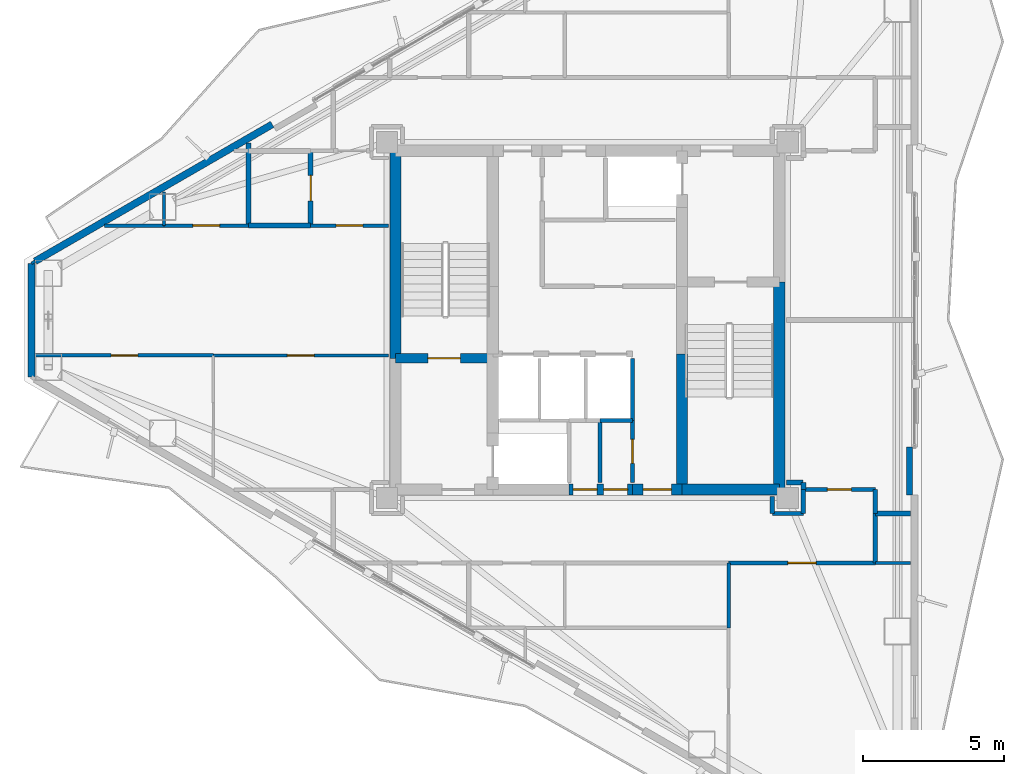
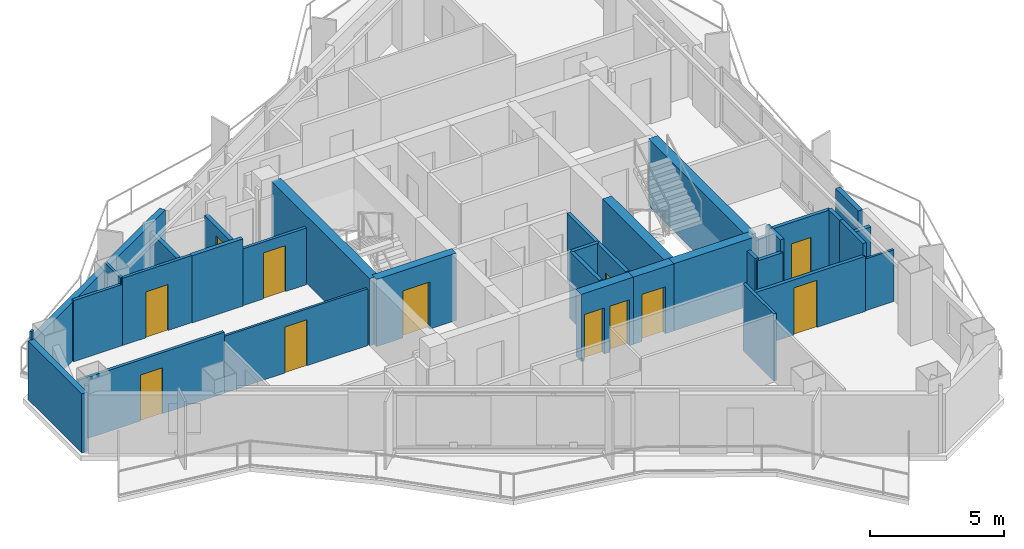
# One storey, part 17 of 22: 36 walls, 12 doors, 12 openings.
"""IFC4 building model written with IfcOpenShell, lengths in metres."""

from ifc_helpers import new_model, si_unit, direction, frame, frame_2d, origin, place, context, subcontext, project, spatial, rectangle, extrude, material, layer, layer_set, type_object, element, fill, save


model = new_model("IFC4")

# Units and contexts
model_context = context("Model", 3, precision=1e-05, world=origin(), true_north=direction((0.0, 1.0)))
body_context = subcontext(model_context, "Body", "Model", "MODEL_VIEW")
ifc_project = project(units=[si_unit("LENGTHUNIT", "METRE"), si_unit("AREAUNIT", "SQUARE_METRE"), si_unit("VOLUMEUNIT", "CUBIC_METRE"), si_unit("PLANEANGLEUNIT", "RADIAN"), si_unit("MASSUNIT", "GRAM", prefix="KILO")], contexts=[model_context])

# Site, building, storey
site_placement = place(None, origin())
site = spatial("IfcSite", under=ifc_project, at=site_placement, CompositionType="ELEMENT")
building_placement = place(site_placement, origin())
building = spatial("IfcBuilding", under=site, at=building_placement, Name="Mersakhor Tower and Convention Hall", CompositionType="ELEMENT")
storey_placement = place(building_placement, frame((0.0, 0.0, 192.0)))
storey = spatial("IfcBuildingStorey", under=building, at=storey_placement, Name="L53", CompositionType="ELEMENT", Elevation=192.0)

# Walls
ifc_material_1 = material(Name="Precast concrete C40/50", Category="concrete")
ifc_layer_1 = layer(ifc_material_1, 0.25)
ifc_layer_set_1 = layer_set([ifc_layer_1], Name="Precast concrete C40/50")
wall_type_1 = type_object("IfcWallType", Name="WL-EXT-250", PredefinedType="SOLIDWALL", material=ifc_layer_set_1)
wall_1_placement = place(storey_placement, frame((9.3076171875, 24.73828125, 0.0), z_axis=(0.0, 0.0, 1.0), x_axis=(0.0, 1.0, 0.0)))
element("IfcWall", 1, at=wall_1_placement, inside=storey, type_object=wall_type_1, Name="L53 Chamfer Braced Spandrel Wall C3", PredefinedType="SOLIDWALL", context=body_context, shape_type="SweptSolid", body=[
    extrude(rectangle(XDim=4.0234375, YDim=0.25, at=frame_2d((2.01171875, 0.0))), origin(), (0.0, 0.0, 1.0), 2.68994140625),
])
wall_2_placement = place(storey_placement, frame((9.4375, 28.836669921875, 0.0), z_axis=(0.0, 0.0, 1.0), x_axis=(0.866027133173, 0.499997004599, 0.0)))
element("IfcWall", 2, at=wall_2_placement, inside=storey, type_object=wall_type_1, Name="L53 Exterior Facade Wall F1-B1", PredefinedType="SOLIDWALL", context=body_context, shape_type="SweptSolid", body=[
    extrude(rectangle(XDim=9.69873046875, YDim=0.25, at=frame_2d((4.849365234375, 0.0))), origin(), (0.0, 0.0, 1.0), 2.68994140625),
])
ifc_material_2 = material(Name="Precast concrete C40/50", Category="concrete")
ifc_layer_2 = layer(ifc_material_2, 0.199951171875)
ifc_layer_set_2 = layer_set([ifc_layer_2], Name="Precast concrete C40/50")
wall_type_2 = type_object("IfcWallType", Name="WL-PAR-200", PredefinedType="PARAPET", material=ifc_layer_set_2)
wall_3_placement = place(storey_placement, frame((40.408447265625, 22.25048828125, 0.0), z_axis=(0.0, 0.0, 1.0), x_axis=(0.0, -1.0, 0.0)))
element("IfcWall", 3, at=wall_3_placement, inside=storey, type_object=wall_type_2, Name="L53 Column Pier Cladding Wall F2-C2", PredefinedType="PARAPET", context=body_context, shape_type="SweptSolid", body=[
    extrude(rectangle(XDim=1.699951171875, YDim=0.199951171875, at=frame_2d((0.85009765625, 0.0))), origin(), (0.0, 0.0, 1.0), 2.68994140625),
])

# Wall, opening, door
ifc_material_3 = material(Name="Moisture-resistant acoustic drywall studwork", Category="other")
ifc_layer_3 = layer(ifc_material_3, 0.175048828125)
ifc_layer_set_3 = layer_set([ifc_layer_3], Name="Moisture-resistant acoustic drywall studwork")
wall_type_3 = type_object("IfcWallType", Name="WL-PLM-175", PredefinedType="PLUMBINGWALL", material=ifc_layer_set_3)
wall_4_placement = place(storey_placement, frame((19.199951171875, 30.10009765625, 0.0), z_axis=(0.0, 0.0, 1.0), x_axis=(0.0, 1.0, 0.0)))
wall_4 = element("IfcWall", 4, at=wall_4_placement, inside=storey, type_object=wall_type_3, Name="L53 Interior Partition Wall P-050", PredefinedType="PLUMBINGWALL", context=body_context, shape_type="SweptSolid", body=[
    extrude(rectangle(XDim=2.64990234375, YDim=0.175048828125, at=frame_2d((1.324951171875, 0.0))), origin(), (0.0, 0.0, 1.0), 2.518310546875),
])
opening_1_placement = place(wall_4_placement, frame((0.875, 0.0, 0.0)))
opening_1 = element("IfcOpeningElement", 5, at=opening_1_placement, cuts=wall_4, Name="Opening WD-01", PredefinedType="OPENING", context=body_context, shape_type="SweptSolid", body=[
    extrude(rectangle(XDim=0.89990234375, YDim=2.10009765625, at=frame_2d((0.449951171875, 1.050048828125))), frame((0.0, 0.097412109375, 0.0), z_axis=(0.0, -1.0, 0.0), x_axis=(1.0, 0.0, 0.0)), (0.0, 0.0, 1.0), 0.195068359375),
])
ifc_material_4 = material(Name="Solid-core hardwood leaf in painted steel frame", Category="steel")
door_type_1 = type_object("IfcDoorType", Name="DR-INT-WET-090x210", OperationType="NOTDEFINED", PredefinedType="DOOR", material=ifc_material_4)
door_1_placement = place(opening_1_placement, origin())
door_1 = element("IfcDoor", 6, at=door_1_placement, inside=storey, type_object=door_type_1, Name="L53 L53 Flat W3 Apartment Hall to L53 Flat W3 Bathroom Door", OperationType="SINGLE_SWING_LEFT", OverallHeight=2.10009765625, OverallWidth=0.89990234375, PredefinedType="DOOR", context=body_context, shape_type="SweptSolid", body=[
    extrude(rectangle(XDim=0.89990234375, YDim=2.10009765625, at=frame_2d((0.449951171875, 1.050048828125))), frame((0.0, 0.02490234375, 0.0), z_axis=(0.0, -1.0, 0.0), x_axis=(1.0, 0.0, 0.0)), (0.0, 0.0, 1.0), 0.050048828125),
])
fill(opening_1, door_1)

# Walls
wall_5_placement = place(storey_placement, frame((36.64990234375, 20.75, 0.0), z_axis=(0.0, 0.0, 1.0), x_axis=(0.0, 1.0, 0.0)))
element("IfcWall", 7, at=wall_5_placement, inside=storey, type_object=wall_type_3, Name="L53 Interior Partition Wall P-057", PredefinedType="PLUMBINGWALL", context=body_context, shape_type="SweptSolid", body=[
    extrude(rectangle(XDim=0.25, YDim=0.175048828125, at=frame_2d((0.125, 0.0))), origin(), (0.0, 0.0, 1.0), 3.070068359375),
])
wall_6_placement = place(storey_placement, frame((36.635009765625, 21.0, 0.0), z_axis=(0.0, 0.0, 1.0), x_axis=(-1.0, 0.0, 0.0)))
element("IfcWall", 8, at=wall_6_placement, inside=storey, type_object=wall_type_3, Name="L53 Interior Partition Wall P-058", PredefinedType="PLUMBINGWALL", context=body_context, shape_type="SweptSolid", body=[
    extrude(rectangle(XDim=0.5849609375, YDim=0.175048828125, at=frame_2d((0.29248046875, 0.0))), origin(), (0.0, 0.0, 1.0), 2.594970703125),
])
wall_7_placement = place(storey_placement, frame((40.439453125, 19.89990234375, 0.0), z_axis=(0.0, 0.0, 1.0), x_axis=(-1.0, 0.0, 0.0)))
element("IfcWall", 9, at=wall_7_placement, inside=storey, type_object=wall_type_3, Name="L53 Interior Partition Wall P-059", PredefinedType="PLUMBINGWALL", context=body_context, shape_type="SweptSolid", body=[
    extrude(rectangle(XDim=1.239501953125, YDim=0.175048828125, at=frame_2d((0.61962890625, 0.0))), origin(), (0.0, 0.0, 1.0), 2.364990234375),
])
wall_8_placement = place(storey_placement, frame((19.199951171875, 30.10009765625, 0.0), z_axis=(0.0, 0.0, 1.0), x_axis=(-1.0, 0.0, 0.0)))
element("IfcWall", 10, at=wall_8_placement, inside=storey, type_object=wall_type_3, Name="L53 Interior Partition Wall P-061", PredefinedType="PLUMBINGWALL", context=body_context, shape_type="SweptSolid", body=[
    extrude(rectangle(XDim=2.199951171875, YDim=0.175048828125, at=frame_2d((1.10009765625, 0.0))), origin(), (0.0, 0.0, 1.0), 3.070068359375),
])
wall_9_placement = place(storey_placement, frame((17.0, 30.10009765625, 0.0), z_axis=(0.0, 0.0, 1.0), x_axis=(0.0, 1.0, 0.0)))
element("IfcWall", 11, at=wall_9_placement, inside=storey, type_object=wall_type_3, Name="L53 Interior Partition Wall P-062", PredefinedType="PLUMBINGWALL", context=body_context, shape_type="SweptSolid", body=[
    extrude(rectangle(XDim=2.930908203125, YDim=0.175048828125, at=frame_2d((1.46533203125, 0.0))), origin(), (0.0, 0.0, 1.0), 2.364990234375),
])
ifc_material_5 = material(Name="Lightweight gypsum partition", Category="other")
ifc_layer_4 = layer(ifc_material_5, 0.10009765625)
ifc_layer_set_4 = layer_set([ifc_layer_4], Name="Lightweight gypsum partition")
wall_type_4 = type_object("IfcWallType", Name="WL-PRT-100", PredefinedType="PARTITIONING", material=ifc_layer_set_4)
wall_10_placement = place(storey_placement, frame((14.0, 30.10009765625, 0.0), z_axis=(0.0, 0.0, 1.0), x_axis=(0.0, 1.0, 0.0)))
element("IfcWall", 12, at=wall_10_placement, inside=storey, type_object=wall_type_4, Name="L53 Interior Partition Wall P-064", PredefinedType="PARTITIONING", context=body_context, shape_type="SweptSolid", body=[
    extrude(rectangle(XDim=1.19873046875, YDim=0.10009765625, at=frame_2d((0.599365234375, 0.0))), origin(), (0.0, 0.0, 1.0), 3.070068359375),
])
wall_11_placement = place(storey_placement, frame((39.199951171875, 18.14990234375, 0.0), z_axis=(0.0, 0.0, 1.0), x_axis=(1.0, 0.0, 0.0)))
element("IfcWall", 13, at=wall_11_placement, inside=storey, type_object=wall_type_4, Name="L53 Interior Partition Wall P-074", PredefinedType="PARTITIONING", context=body_context, shape_type="SweptSolid", body=[
    extrude(rectangle(XDim=1.239501953125, YDim=0.10009765625, at=frame_2d((0.61962890625, 0.0))), origin(), (0.0, 0.0, 1.0), 2.364990234375),
])

# Wall, opening, door
wall_12_placement = place(storey_placement, frame((21.949951171875, 25.5, 0.0), z_axis=(0.0, 0.0, 1.0), x_axis=(-1.0, 0.0, 0.0)))
wall_12 = element("IfcWall", 14, at=wall_12_placement, inside=storey, type_object=wall_type_4, Name="L53 Interior Partition Wall P-090", PredefinedType="PARTITIONING", context=body_context, shape_type="SweptSolid", body=[
    extrude(rectangle(XDim=6.199951171875, YDim=0.10009765625, at=frame_2d((3.10009765625, 0.0))), origin(), (0.0, 0.0, 1.0), 2.594970703125),
])
opening_2_placement = place(wall_12_placement, frame((2.625, 0.0, 0.0)))
opening_2 = element("IfcOpeningElement", 15, at=opening_2_placement, cuts=wall_12, Name="Opening RD-01", PredefinedType="OPENING", context=body_context, shape_type="SweptSolid", body=[
    extrude(rectangle(XDim=0.949951171875, YDim=2.10009765625, at=frame_2d((0.47509765625, 1.050048828125))), frame((0.0, 0.06005859375, 0.0), z_axis=(0.0, -1.0, 0.0), x_axis=(1.0, 0.0, 0.0)), (0.0, 0.0, 1.0), 0.1201171875),
])
ifc_material_6 = material(Name="Solid-core hardwood leaf in painted steel frame", Category="steel")
door_type_2 = type_object("IfcDoorType", Name="DR-INT-RM-095x210", OperationType="NOTDEFINED", PredefinedType="DOOR", material=ifc_material_6)
door_2_placement = place(opening_2_placement, origin())
door_2 = element("IfcDoor", 16, at=door_2_placement, inside=storey, type_object=door_type_2, Name="L53 L53 Flat W3 Living and Dining Room to L53 Flat W3 Study Room Door", OperationType="SINGLE_SWING_LEFT", OverallHeight=2.10009765625, OverallWidth=0.949951171875, PredefinedType="DOOR", context=body_context, shape_type="SweptSolid", body=[
    extrude(rectangle(XDim=0.949951171875, YDim=2.10009765625, at=frame_2d((0.47509765625, 1.050048828125))), frame((0.0, 0.02490234375, 0.0), z_axis=(0.0, -1.0, 0.0), x_axis=(1.0, 0.0, 0.0)), (0.0, 0.0, 1.0), 0.050048828125),
])
fill(opening_2, door_2)

# Wall
wall_13_placement = place(storey_placement, frame((9.306884765625, 28.761962890625, 0.0), z_axis=(0.0, 0.0, 1.0), x_axis=(0.866239593359, 0.499628829129, 0.0)))
element("IfcWall", 17, at=wall_13_placement, inside=storey, type_object=wall_type_4, Name="L53 Interior Partition Wall P-092", PredefinedType="PARTITIONING", context=body_context, shape_type="SweptSolid", body=[
    extrude(rectangle(XDim=0.150390625, YDim=0.10009765625, at=frame_2d((0.0751953125, 0.0))), origin(), (0.0, 0.0, 1.0), 3.070068359375),
])

# Wall, opening, door
ifc_material_7 = material(Name="Gypsum board acoustic partition", Category="other")
ifc_layer_5 = layer(ifc_material_7, 0.125)
ifc_layer_set_5 = layer_set([ifc_layer_5], Name="Gypsum board acoustic partition")
wall_type_5 = type_object("IfcWallType", Name="WL-PRT-125", PredefinedType="PARTITIONING", material=ifc_layer_set_5)
wall_14_placement = place(storey_placement, frame((21.949951171875, 30.10009765625, 0.0), z_axis=(0.0, 0.0, 1.0), x_axis=(-1.0, 0.0, 0.0)))
wall_14 = element("IfcWall", 18, at=wall_14_placement, inside=storey, type_object=wall_type_5, Name="L53 Interior Partition Wall P-049", PredefinedType="PARTITIONING", context=body_context, shape_type="SweptSolid", body=[
    extrude(rectangle(XDim=2.75, YDim=0.125, at=frame_2d((1.375, 0.0))), origin(), (0.0, 0.0, 1.0), 2.594970703125),
])
opening_3_placement = place(wall_14_placement, frame((0.89990234375, 0.0, 0.0)))
opening_3 = element("IfcOpeningElement", 19, at=opening_3_placement, cuts=wall_14, Name="Opening RD-01", PredefinedType="OPENING", context=body_context, shape_type="SweptSolid", body=[
    extrude(rectangle(XDim=0.949951171875, YDim=2.10009765625, at=frame_2d((0.47509765625, 1.050048828125))), frame((0.0, 0.072509765625, 0.0), z_axis=(0.0, -1.0, 0.0), x_axis=(1.0, 0.0, 0.0)), (0.0, 0.0, 1.0), 0.14501953125),
])
door_3_placement = place(opening_3_placement, origin())
door_3 = element("IfcDoor", 20, at=door_3_placement, inside=storey, type_object=door_type_2, Name="L53 L53 Flat W3 Apartment Hall to L53 Flat W3 Living and Dining Room Door", OperationType="SINGLE_SWING_RIGHT", OverallHeight=2.10009765625, OverallWidth=0.949951171875, PredefinedType="DOOR", context=body_context, shape_type="SweptSolid", body=[
    extrude(rectangle(XDim=0.949951171875, YDim=2.10009765625, at=frame_2d((0.47509765625, 1.050048828125))), frame((0.0, 0.02490234375, 0.0), z_axis=(0.0, -1.0, 0.0), x_axis=(1.0, 0.0, 0.0)), (0.0, 0.0, 1.0), 0.050048828125),
])
fill(opening_3, door_3)

wall_15_placement = place(storey_placement, frame((17.0, 30.10009765625, 0.0), z_axis=(0.0, 0.0, 1.0), x_axis=(-1.0, 0.0, 0.0)))
wall_15 = element("IfcWall", 21, at=wall_15_placement, inside=storey, type_object=wall_type_5, Name="L53 Interior Partition Wall P-063", PredefinedType="PARTITIONING", context=body_context, shape_type="SweptSolid", body=[
    extrude(rectangle(XDim=3.0, YDim=0.125, at=frame_2d((1.5, 0.0))), origin(), (0.0, 0.0, 1.0), 3.070068359375),
])
opening_4_placement = place(wall_15_placement, frame((1.02490234375, 0.0, 0.0)))
opening_4 = element("IfcOpeningElement", 22, at=opening_4_placement, cuts=wall_15, Name="Opening RD-01", PredefinedType="OPENING", context=body_context, shape_type="SweptSolid", body=[
    extrude(rectangle(XDim=0.949951171875, YDim=2.10009765625, at=frame_2d((0.47509765625, 1.050048828125))), frame((0.0, 0.072509765625, 0.0), z_axis=(0.0, -1.0, 0.0), x_axis=(1.0, 0.0, 0.0)), (0.0, 0.0, 1.0), 0.14501953125),
])
door_4_placement = place(opening_4_placement, origin())
door_4 = element("IfcDoor", 23, at=door_4_placement, inside=storey, type_object=door_type_2, Name="L53 L53 Flat W3 Kitchen to L53 Flat W3 Living and Dining Room Door", OperationType="SINGLE_SWING_LEFT", OverallHeight=2.10009765625, OverallWidth=0.949951171875, PredefinedType="DOOR", context=body_context, shape_type="SweptSolid", body=[
    extrude(rectangle(XDim=0.949951171875, YDim=2.10009765625, at=frame_2d((0.47509765625, 1.050048828125))), frame((0.0, 0.02490234375, 0.0), z_axis=(0.0, -1.0, 0.0), x_axis=(1.0, 0.0, 0.0)), (0.0, 0.0, 1.0), 0.050048828125),
])
fill(opening_4, door_4)

# Walls
wall_16_placement = place(storey_placement, frame((34.0, 15.85009765625, 0.0), z_axis=(0.0, 0.0, 1.0), x_axis=(0.0, 1.0, 0.0)))
element("IfcWall", 24, at=wall_16_placement, inside=storey, type_object=wall_type_5, Name="L53 Interior Partition Wall P-073", PredefinedType="PARTITIONING", context=body_context, shape_type="SweptSolid", body=[
    extrude(rectangle(XDim=2.2998046875, YDim=0.125, at=frame_2d((1.14990234375, 0.0))), origin(), (0.0, 0.0, 1.0), 3.070068359375),
])
wall_17_placement = place(storey_placement, frame((11.896484375, 30.10009765625, 0.0), z_axis=(0.0, 0.0, 1.0), x_axis=(1.0, 0.0, 0.0)))
element("IfcWall", 25, at=wall_17_placement, inside=storey, type_object=wall_type_5, Name="L53 Interior Partition Wall P-089", PredefinedType="PARTITIONING", context=body_context, shape_type="SweptSolid", body=[
    extrude(rectangle(XDim=2.103515625, YDim=0.125, at=frame_2d((1.0517578125, 0.0))), origin(), (0.0, 0.0, 1.0), 2.794677734375),
])

# Wall, opening, door
wall_18_placement = place(storey_placement, frame((15.75, 25.5, 0.0), z_axis=(0.0, 0.0, 1.0), x_axis=(-1.0, 0.0, 0.0)))
wall_18 = element("IfcWall", 26, at=wall_18_placement, inside=storey, type_object=wall_type_5, Name="L53 Interior Partition Wall P-091", PredefinedType="PARTITIONING", context=body_context, shape_type="SweptSolid", body=[
    extrude(rectangle(XDim=6.29345703125, YDim=0.125, at=frame_2d((3.146728515625, 0.0))), origin(), (0.0, 0.0, 1.0), 2.794677734375),
])
opening_5_placement = place(wall_18_placement, frame((2.671630859375, 0.0, 0.0)))
opening_5 = element("IfcOpeningElement", 27, at=opening_5_placement, cuts=wall_18, Name="Opening RD-01", PredefinedType="OPENING", context=body_context, shape_type="SweptSolid", body=[
    extrude(rectangle(XDim=0.949951171875, YDim=2.10009765625, at=frame_2d((0.47509765625, 1.050048828125))), frame((0.0, 0.072509765625, 0.0), z_axis=(0.0, -1.0, 0.0), x_axis=(1.0, 0.0, 0.0)), (0.0, 0.0, 1.0), 0.14501953125),
])
door_5_placement = place(opening_5_placement, origin())
door_5 = element("IfcDoor", 28, at=door_5_placement, inside=storey, type_object=door_type_2, Name="L53 L53 Flat W3 Living and Dining Room to L53 Flat W3 Bedroom 1 Door", OperationType="SINGLE_SWING_RIGHT", OverallHeight=2.10009765625, OverallWidth=0.949951171875, PredefinedType="DOOR", context=body_context, shape_type="SweptSolid", body=[
    extrude(rectangle(XDim=0.949951171875, YDim=2.10009765625, at=frame_2d((0.47509765625, 1.050048828125))), frame((0.0, 0.02490234375, 0.0), z_axis=(0.0, -1.0, 0.0), x_axis=(1.0, 0.0, 0.0)), (0.0, 0.0, 1.0), 0.050048828125),
])
fill(opening_5, door_5)

# Walls
ifc_material_8 = material(Name="Fire-rated gypsum board stud partition", Category="other")
ifc_layer_6 = layer(ifc_material_8, 0.14990234375)
ifc_layer_set_6 = layer_set([ifc_layer_6], Name="Fire-rated gypsum board stud partition")
wall_type_6 = type_object("IfcWallType", Name="WL-PRT-150", PredefinedType="PARTITIONING", material=ifc_layer_set_6)
wall_19_placement = place(storey_placement, frame((30.60009765625, 25.39990234375, 0.0), z_axis=(0.0, 0.0, 1.0), x_axis=(0.0, -1.0, 0.0)))
element("IfcWall", 29, at=wall_19_placement, inside=storey, type_object=wall_type_6, Name="L53 Interior Partition Wall P-009", PredefinedType="PARTITIONING", context=body_context, shape_type="SweptSolid", body=[
    extrude(rectangle(XDim=2.199951171875, YDim=0.14990234375, at=frame_2d((1.10009765625, 0.0))), origin(), (0.0, 0.0, 1.0), 3.070068359375),
])
wall_20_placement = place(storey_placement, frame((30.60009765625, 23.199951171875, 0.0), z_axis=(0.0, 0.0, 1.0), x_axis=(-1.0, 0.0, 0.0)))
element("IfcWall", 30, at=wall_20_placement, inside=storey, type_object=wall_type_6, Name="L53 Interior Partition Wall P-010", PredefinedType="PARTITIONING", context=body_context, shape_type="SweptSolid", body=[
    extrude(rectangle(XDim=1.150146484375, YDim=0.14990234375, at=frame_2d((0.5751953125, 0.0))), origin(), (0.0, 0.0, 1.0), 3.070068359375),
])

# Wall, opening, door
wall_21_placement = place(storey_placement, frame((30.60009765625, 21.0, 0.0), z_axis=(0.0, 0.0, 1.0), x_axis=(0.0, 1.0, 0.0)))
wall_21 = element("IfcWall", 31, at=wall_21_placement, inside=storey, type_object=wall_type_6, Name="L53 Interior Partition Wall P-012", PredefinedType="PARTITIONING", context=body_context, shape_type="SweptSolid", body=[
    extrude(rectangle(XDim=2.199951171875, YDim=0.14990234375, at=frame_2d((1.10009765625, 0.0))), origin(), (0.0, 0.0, 1.0), 3.070068359375),
])
opening_6_placement = place(wall_21_placement, frame((0.675048828125, 0.0, 0.0)))
opening_6 = element("IfcOpeningElement", 32, at=opening_6_placement, cuts=wall_21, Name="Opening SVD-01", PredefinedType="OPENING", context=body_context, shape_type="SweptSolid", body=[
    extrude(rectangle(XDim=0.85009765625, YDim=2.10009765625, at=frame_2d((0.425048828125, 1.050048828125))), frame((0.0, 0.0849609375, 0.0), z_axis=(0.0, -1.0, 0.0), x_axis=(1.0, 0.0, 0.0)), (0.0, 0.0, 1.0), 0.169921875),
])
ifc_material_9 = material(Name="Fire-rated hardwood leaf and painted steel frame", Category="steel")
door_type_3 = type_object("IfcDoorType", Name="DR-INT-SVC-085x210", OperationType="NOTDEFINED", PredefinedType="DOOR", material=ifc_material_9)
door_6_placement = place(opening_6_placement, origin())
door_6 = element("IfcDoor", 33, at=door_6_placement, inside=storey, type_object=door_type_3, Name="L53 Central Passenger Lift Lobby to Core Maintenance Store Room Door", OperationType="SINGLE_SWING_RIGHT", OverallHeight=2.10009765625, OverallWidth=0.85009765625, PredefinedType="DOOR", context=body_context, shape_type="SweptSolid", body=[
    extrude(rectangle(XDim=0.85009765625, YDim=2.10009765625, at=frame_2d((0.425048828125, 1.050048828125))), frame((0.0, 0.02490234375, 0.0), z_axis=(0.0, -1.0, 0.0), x_axis=(1.0, 0.0, 0.0)), (0.0, 0.0, 1.0), 0.050048828125),
])
fill(opening_6, door_6)

# Walls
wall_22_placement = place(storey_placement, frame((35.550048828125, 20.5, 0.0), z_axis=(0.0, 0.0, 1.0), x_axis=(0.0, -1.0, 0.0)))
element("IfcWall", 34, at=wall_22_placement, inside=storey, type_object=wall_type_6, Name="L53 Interior Partition Wall P-036", PredefinedType="PARTITIONING", context=body_context, shape_type="SweptSolid", body=[
    extrude(rectangle(XDim=0.60009765625, YDim=0.14990234375, at=frame_2d((0.300048828125, 0.0))), origin(), (0.0, 0.0, 1.0), 2.594970703125),
])
wall_23_placement = place(storey_placement, frame((35.550048828125, 19.89990234375, 0.0), z_axis=(0.0, 0.0, 1.0), x_axis=(1.0, 0.0, 0.0)))
element("IfcWall", 35, at=wall_23_placement, inside=storey, type_object=wall_type_6, Name="L53 Interior Partition Wall P-037", PredefinedType="PARTITIONING", context=body_context, shape_type="SweptSolid", body=[
    extrude(rectangle(XDim=1.099853515625, YDim=0.14990234375, at=frame_2d((0.5498046875, 0.0))), origin(), (0.0, 0.0, 1.0), 2.518310546875),
])
wall_24_placement = place(storey_placement, frame((36.64990234375, 19.89990234375, 0.0), z_axis=(0.0, 0.0, 1.0), x_axis=(0.0, 1.0, 0.0)))
element("IfcWall", 36, at=wall_24_placement, inside=storey, type_object=wall_type_6, Name="L53 Interior Partition Wall P-038", PredefinedType="PARTITIONING", context=body_context, shape_type="SweptSolid", body=[
    extrude(rectangle(XDim=0.85009765625, YDim=0.14990234375, at=frame_2d((0.425048828125, 0.0))), origin(), (0.0, 0.0, 1.0), 3.070068359375),
])

# Wall, opening, door
wall_25_placement = place(storey_placement, frame((36.64990234375, 20.75, 0.0), z_axis=(0.0, 0.0, 1.0), x_axis=(1.0, 0.0, 0.0)))
wall_25 = element("IfcWall", 37, at=wall_25_placement, inside=storey, type_object=wall_type_6, Name="L53 Interior Partition Wall P-039", PredefinedType="PARTITIONING", context=body_context, shape_type="SweptSolid", body=[
    extrude(rectangle(XDim=2.550048828125, YDim=0.14990234375, at=frame_2d((1.27490234375, 0.0))), origin(), (0.0, 0.0, 1.0), 3.070068359375),
])
opening_7_placement = place(wall_25_placement, frame((0.85009765625, 0.0, 0.0)))
opening_7 = element("IfcOpeningElement", 38, at=opening_7_placement, cuts=wall_25, Name="Opening SVD-01", PredefinedType="OPENING", context=body_context, shape_type="SweptSolid", body=[
    extrude(rectangle(XDim=0.85009765625, YDim=2.10009765625, at=frame_2d((0.425048828125, 1.050048828125))), frame((0.0, 0.0849609375, 0.0), z_axis=(0.0, -1.0, 0.0), x_axis=(1.0, 0.0, 0.0)), (0.0, 0.0, 1.0), 0.169921875),
])
door_7_placement = place(opening_7_placement, origin())
door_7 = element("IfcDoor", 39, at=door_7_placement, inside=storey, type_object=door_type_3, Name="L53 Residential South Gallery Corridor to L53 East Wing Public Restroom WC Door", OperationType="SINGLE_SWING_LEFT", OverallHeight=2.10009765625, OverallWidth=0.85009765625, PredefinedType="DOOR", context=body_context, shape_type="SweptSolid", body=[
    extrude(rectangle(XDim=0.85009765625, YDim=2.10009765625, at=frame_2d((0.425048828125, 1.050048828125))), frame((0.0, 0.02490234375, 0.0), z_axis=(0.0, -1.0, 0.0), x_axis=(1.0, 0.0, 0.0)), (0.0, 0.0, 1.0), 0.050048828125),
])
fill(opening_7, door_7)

# Walls
wall_26_placement = place(storey_placement, frame((39.199951171875, 20.75, 0.0), z_axis=(0.0, 0.0, 1.0), x_axis=(0.0, -1.0, 0.0)))
element("IfcWall", 40, at=wall_26_placement, inside=storey, type_object=wall_type_6, Name="L53 Interior Partition Wall P-040", PredefinedType="PARTITIONING", context=body_context, shape_type="SweptSolid", body=[
    extrude(rectangle(XDim=0.85009765625, YDim=0.14990234375, at=frame_2d((0.425048828125, 0.0))), origin(), (0.0, 0.0, 1.0), 3.070068359375),
])
wall_27_placement = place(storey_placement, frame((39.199951171875, 19.89990234375, 0.0), z_axis=(0.0, 0.0, 1.0), x_axis=(0.0, -1.0, 0.0)))
element("IfcWall", 41, at=wall_27_placement, inside=storey, type_object=wall_type_6, Name="L53 Interior Partition Wall P-041", PredefinedType="PARTITIONING", context=body_context, shape_type="SweptSolid", body=[
    extrude(rectangle(XDim=1.75, YDim=0.14990234375, at=frame_2d((0.875, 0.0))), origin(), (0.0, 0.0, 1.0), 3.070068359375),
])

# Wall, opening, door
wall_28_placement = place(storey_placement, frame((39.199951171875, 18.14990234375, 0.0), z_axis=(0.0, 0.0, 1.0), x_axis=(-1.0, 0.0, 0.0)))
wall_28 = element("IfcWall", 42, at=wall_28_placement, inside=storey, type_object=wall_type_6, Name="L53 Interior Partition Wall P-042", PredefinedType="PARTITIONING", context=body_context, shape_type="SweptSolid", body=[
    extrude(rectangle(XDim=5.199951171875, YDim=0.14990234375, at=frame_2d((2.60009765625, 0.0))), origin(), (0.0, 0.0, 1.0), 2.518310546875),
])
opening_8_placement = place(wall_28_placement, frame((2.10009765625, 0.0, 0.0)))
opening_8 = element("IfcOpeningElement", 43, at=opening_8_placement, cuts=wall_28, Name="Opening FD-01", PredefinedType="OPENING", context=body_context, shape_type="SweptSolid", body=[
    extrude(rectangle(XDim=1.0, YDim=2.14990234375, at=frame_2d((0.5, 1.074951171875))), frame((0.0, 0.0849609375, 0.0), z_axis=(0.0, -1.0, 0.0), x_axis=(1.0, 0.0, 0.0)), (0.0, 0.0, 1.0), 0.169921875),
])
ifc_material_10 = material(Name="Fire-rated hardwood leaf and painted steel frame", Category="steel")
door_type_4 = type_object("IfcDoorType", Name="DR-INT-FLT-100x215", OperationType="NOTDEFINED", PredefinedType="DOOR", material=ifc_material_10)
door_8_placement = place(opening_8_placement, origin())
door_8 = element("IfcDoor", 44, at=door_8_placement, inside=storey, type_object=door_type_4, Name="L53 Residential South Gallery Corridor to L53 South-East Shared Pantry Door", OperationType="SINGLE_SWING_RIGHT", OverallHeight=2.14990234375, OverallWidth=1.0, PredefinedType="DOOR", context=body_context, shape_type="SweptSolid", body=[
    extrude(rectangle(XDim=1.0, YDim=2.14990234375, at=frame_2d((0.5, 1.074951171875))), frame((0.0, 0.02490234375, 0.0), z_axis=(0.0, -1.0, 0.0), x_axis=(1.0, 0.0, 0.0)), (0.0, 0.0, 1.0), 0.050048828125),
])
fill(opening_8, door_8)

# Wall
wall_29_placement = place(storey_placement, frame((29.449951171875, 23.199951171875, 0.0), z_axis=(0.0, 0.0, 1.0), x_axis=(0.0, -1.0, 0.0)))
element("IfcWall", 45, at=wall_29_placement, inside=storey, type_object=wall_type_6, Name="L53 Interior Partition Wall P-067", PredefinedType="PARTITIONING", context=body_context, shape_type="SweptSolid", body=[
    extrude(rectangle(XDim=2.199951171875, YDim=0.14990234375, at=frame_2d((1.10009765625, 0.0))), origin(), (0.0, 0.0, 1.0), 3.070068359375),
])

# Wall, opening, door
ifc_material_11 = material(Name="Concrete C50/60", Category="concrete")
ifc_layer_7 = layer(ifc_material_11, 0.35009765625)
ifc_layer_set_7 = layer_set([ifc_layer_7], Name="Concrete C50/60")
wall_type_7 = type_object("IfcWallType", Name="WL-SHR-350", PredefinedType="SHEAR", material=ifc_layer_set_7)
wall_30_placement = place(storey_placement, frame((22.199951171875, 25.39990234375, 0.0), z_axis=(0.0, 0.0, 1.0), x_axis=(1.0, 0.0, 0.0)))
wall_30 = element("IfcWall", 46, at=wall_30_placement, inside=storey, type_object=wall_type_7, Name="L53 Core Wall CS-ST1-S", PredefinedType="SHEAR", context=body_context, shape_type="SweptSolid", body=[
    extrude(rectangle(XDim=3.449951171875, YDim=0.35009765625, at=frame_2d((1.72509765625, 0.0))), origin(), (0.0, 0.0, 1.0), 3.070068359375),
])
opening_9_placement = place(wall_30_placement, frame((1.14990234375, 0.0, 0.0)))
opening_9 = element("IfcOpeningElement", 47, at=opening_9_placement, cuts=wall_30, Name="Opening SD-01", PredefinedType="OPENING", context=body_context, shape_type="SweptSolid", body=[
    extrude(rectangle(XDim=1.14990234375, YDim=2.14990234375, at=frame_2d((0.574951171875, 1.074951171875))), frame((0.0, 0.18505859375, 0.0), z_axis=(0.0, -1.0, 0.0), x_axis=(1.0, 0.0, 0.0)), (0.0, 0.0, 1.0), 0.3701171875),
])
ifc_material_12 = material(Name="Fire-rated hardwood leaf and painted steel frame", Category="steel")
door_type_5 = type_object("IfcDoorType", Name="DR-INT-STAIR-115x215", OperationType="NOTDEFINED", PredefinedType="DOOR", material=ifc_material_12)
door_9_placement = place(opening_9_placement, origin())
door_9 = element("IfcDoor", 48, at=door_9_placement, inside=storey, type_object=door_type_5, Name="L53 Exit Stair ST-1 Enclosure Door", OperationType="SINGLE_SWING_LEFT", OverallHeight=2.14990234375, OverallWidth=1.14990234375, PredefinedType="DOOR", context=body_context, shape_type="SweptSolid", body=[
    extrude(rectangle(XDim=1.14990234375, YDim=2.14990234375, at=frame_2d((0.574951171875, 1.074951171875))), frame((0.0, 0.02490234375, 0.0), z_axis=(0.0, -1.0, 0.0), x_axis=(1.0, 0.0, 0.0)), (0.0, 0.0, 1.0), 0.050048828125),
])
fill(opening_9, door_9)

# Walls
ifc_material_13 = material(Name="Concrete C60/75", Category="concrete")
ifc_layer_8 = layer(ifc_material_13, 0.39990234375)
ifc_layer_set_8 = layer_set([ifc_layer_8], Name="Concrete C60/75")
wall_type_8 = type_object("IfcWallType", Name="WL-SHR-400", PredefinedType="SHEAR", material=ifc_layer_set_8)
for number, where, z_axis, x_axis, name in (
    (49, (22.199951171875, 25.39990234375, 0.0), (0.0, 0.0, 1.0), (0.0, 1.0, 0.0), "L53 Core Wall CW-W2"),
    (50, (35.800048828125, 28.10009765625, 0.0), (0.0, 0.0, 1.0), (0.0, -1.0, 0.0), "L53 Core Wall CW-E2"),
):
    element("IfcWall", number, at=place(storey_placement, frame(where, z_axis=z_axis, x_axis=x_axis)), inside=storey, type_object=wall_type_8, Name=name, PredefinedType="SHEAR", context=body_context, shape_type="SweptSolid", body=[
        extrude(rectangle(XDim=7.35009765625, YDim=0.39990234375, at=frame_2d((3.675048828125, 0.0))), origin(), (0.0, 0.0, 1.0), 3.070068359375),
    ])
wall_31_placement = place(storey_placement, frame((35.800048828125, 20.75, 0.0), z_axis=(0.0, 0.0, 1.0), x_axis=(-1.0, 0.0, 0.0)))
element("IfcWall", 51, at=wall_31_placement, inside=storey, type_object=wall_type_8, Name="L53 Core Wall CW-S1", PredefinedType="SHEAR", context=body_context, shape_type="SweptSolid", body=[
    extrude(rectangle(XDim=3.449951171875, YDim=0.39990234375, at=frame_2d((1.72509765625, 0.0))), origin(), (0.0, 0.0, 1.0), 3.070068359375),
])

# Wall, opening, door
wall_32_placement = place(storey_placement, frame((32.35009765625, 20.75, 0.0), z_axis=(0.0, 0.0, 1.0), x_axis=(-1.0, 0.0, 0.0)))
wall_32 = element("IfcWall", 52, at=wall_32_placement, inside=storey, type_object=wall_type_8, Name="L53 Core Wall CW-S2A", PredefinedType="SHEAR", context=body_context, shape_type="SweptSolid", body=[
    extrude(rectangle(XDim=1.75, YDim=0.39990234375, at=frame_2d((0.875, 0.0))), origin(), (0.0, 0.0, 1.0), 3.070068359375),
])
opening_10_placement = place(wall_32_placement, frame((0.375, 0.0, 0.0)))
opening_10 = element("IfcOpeningElement", 53, at=opening_10_placement, cuts=wall_32, Name="Opening CFD-01", PredefinedType="OPENING", context=body_context, shape_type="SweptSolid", body=[
    extrude(rectangle(XDim=1.0, YDim=2.14990234375, at=frame_2d((0.5, 1.074951171875))), frame((0.0, 0.2099609375, 0.0), z_axis=(0.0, -1.0, 0.0), x_axis=(1.0, 0.0, 0.0)), (0.0, 0.0, 1.0), 0.419921875),
])
ifc_material_14 = material(Name="Fire-rated hardwood leaf and painted steel frame", Category="steel")
door_type_6 = type_object("IfcDoorType", Name="DR-CORE-FD-100x215", OperationType="NOTDEFINED", PredefinedType="DOOR", material=ifc_material_14)
door_10_placement = place(opening_10_placement, origin())
door_10 = element("IfcDoor", 54, at=door_10_placement, inside=storey, type_object=door_type_6, Name="L53 Lift Lobby South Corridor Door", OperationType="SINGLE_SWING_RIGHT", OverallHeight=2.14990234375, OverallWidth=1.0, PredefinedType="DOOR", context=body_context, shape_type="SweptSolid", body=[
    extrude(rectangle(XDim=1.0, YDim=2.14990234375, at=frame_2d((0.5, 1.074951171875))), frame((0.0, 0.02490234375, 0.0), z_axis=(0.0, -1.0, 0.0), x_axis=(1.0, 0.0, 0.0)), (0.0, 0.0, 1.0), 0.050048828125),
])
fill(opening_10, door_10)

# Wall, openings, doors
wall_33_placement = place(storey_placement, frame((30.60009765625, 20.75, 0.0), z_axis=(0.0, 0.0, 1.0), x_axis=(-1.0, 0.0, 0.0)))
wall_33 = element("IfcWall", 55, at=wall_33_placement, inside=storey, type_object=wall_type_8, Name="L53 Core Wall CW-S2B", PredefinedType="SHEAR", context=body_context, shape_type="SweptSolid", body=[
    extrude(rectangle(XDim=2.25, YDim=0.39990234375, at=frame_2d((1.125, 0.0))), origin(), (0.0, 0.0, 1.0), 3.070068359375),
])
opening_11_placement = place(wall_33_placement, frame((1.2548828125, 0.0, 0.0)))
opening_11 = element("IfcOpeningElement", 56, at=opening_11_placement, cuts=wall_33, Name="Opening SVD-01", PredefinedType="OPENING", context=body_context, shape_type="SweptSolid", body=[
    extrude(rectangle(XDim=0.85009765625, YDim=2.10009765625, at=frame_2d((0.425048828125, 1.050048828125))), frame((0.0, 0.2099609375, 0.0), z_axis=(0.0, -1.0, 0.0), x_axis=(1.0, 0.0, 0.0)), (0.0, 0.0, 1.0), 0.419921875),
])
opening_12_placement = place(wall_33_placement, frame((0.169921875, 0.0, 0.0)))
opening_12 = element("IfcOpeningElement", 57, at=opening_12_placement, cuts=wall_33, Name="Opening SVD-01", PredefinedType="OPENING", context=body_context, shape_type="SweptSolid", body=[
    extrude(rectangle(XDim=0.85009765625, YDim=2.10009765625, at=frame_2d((0.425048828125, 1.050048828125))), frame((0.0, 0.2099609375, 0.0), z_axis=(0.0, -1.0, 0.0), x_axis=(1.0, 0.0, 0.0)), (0.0, 0.0, 1.0), 0.419921875),
])
door_11_placement = place(opening_11_placement, origin())
door_11 = element("IfcDoor", 58, at=door_11_placement, inside=storey, type_object=door_type_3, Name="L53 Residential South Gallery Corridor to Sub-Metering Switch Room Door", OperationType="SINGLE_SWING_RIGHT", OverallHeight=2.10009765625, OverallWidth=0.85009765625, PredefinedType="DOOR", context=body_context, shape_type="SweptSolid", body=[
    extrude(rectangle(XDim=0.85009765625, YDim=2.10009765625, at=frame_2d((0.425048828125, 1.050048828125))), frame((0.0, 0.02490234375, 0.0), z_axis=(0.0, -1.0, 0.0), x_axis=(1.0, 0.0, 0.0)), (0.0, 0.0, 1.0), 0.050048828125),
])
fill(opening_11, door_11)
door_12_placement = place(opening_12_placement, origin())
door_12 = element("IfcDoor", 59, at=door_12_placement, inside=storey, type_object=door_type_3, Name="L53 Residential South Gallery Corridor to Core Maintenance Store Room Door", OperationType="SINGLE_SWING_LEFT", OverallHeight=2.10009765625, OverallWidth=0.85009765625, PredefinedType="DOOR", context=body_context, shape_type="SweptSolid", body=[
    extrude(rectangle(XDim=0.85009765625, YDim=2.10009765625, at=frame_2d((0.425048828125, 1.050048828125))), frame((0.0, 0.02490234375, 0.0), z_axis=(0.0, -1.0, 0.0), x_axis=(1.0, 0.0, 0.0)), (0.0, 0.0, 1.0), 0.050048828125),
])
fill(opening_12, door_12)

# Wall
wall_34_placement = place(storey_placement, frame((32.35009765625, 20.75, 0.0), z_axis=(0.0, 0.0, 1.0), x_axis=(0.0, 1.0, 0.0)))
element("IfcWall", 60, at=wall_34_placement, inside=storey, type_object=wall_type_8, Name="L53 Core Wall CS-E-ST2", PredefinedType="SHEAR", context=body_context, shape_type="SweptSolid", body=[
    extrude(rectangle(XDim=4.800048828125, YDim=0.39990234375, at=frame_2d((2.39990234375, 0.0))), origin(), (0.0, 0.0, 1.0), 3.070068359375),
])

save(model, "model.ifc")
